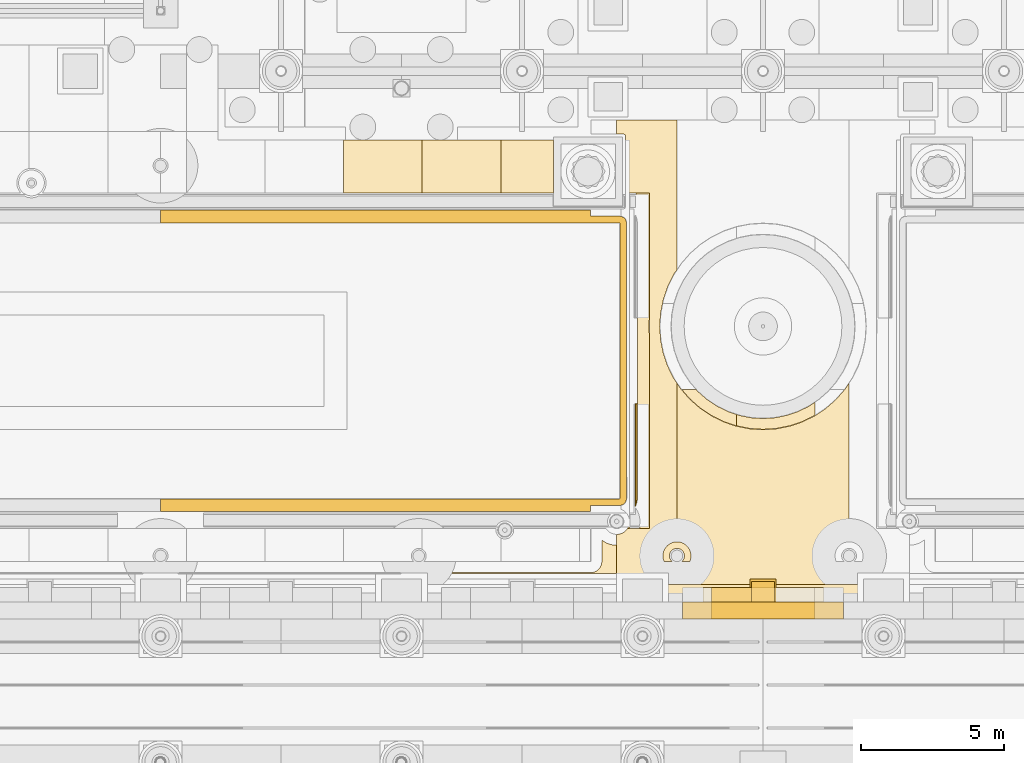
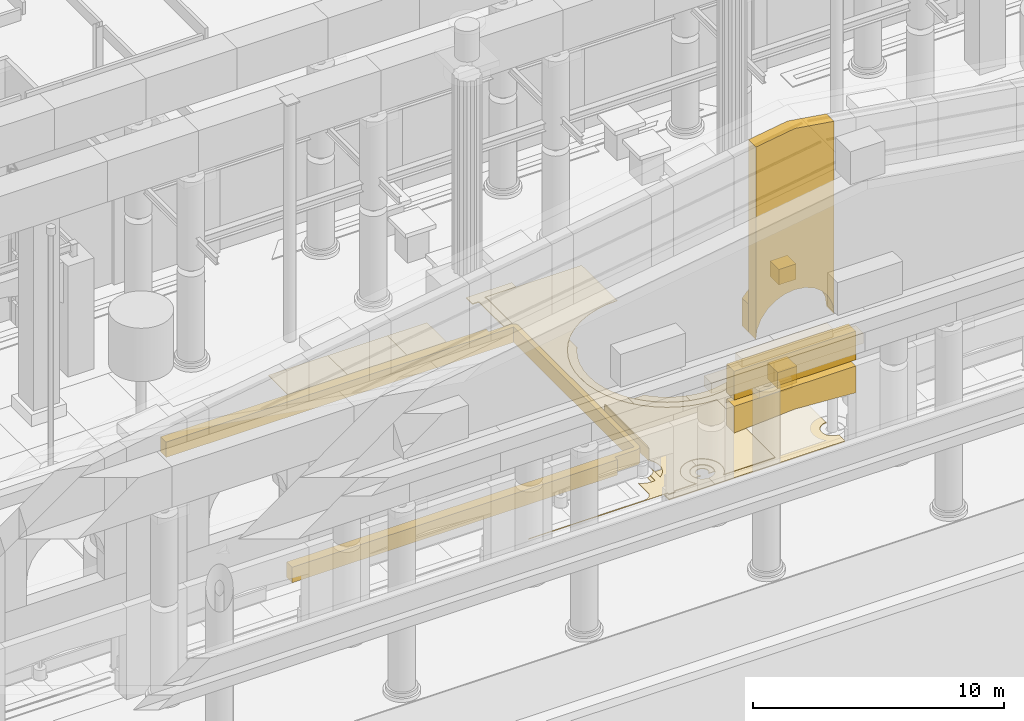
# One storey, part 122 of 222: 19 coverings.
"""IFC4 building model written with IfcOpenShell, lengths in metres."""

from ifc_helpers import new_model, si_unit, direction, frame, origin, origin_2d, place, context, subcontext, project, spatial, polyline, rectangle, outline, extrude, material, layer, layer_set, type_object, element, save


model = new_model("IFC4")

# Units and contexts
model_context = context("Model", 3, precision=1e-05, world=origin(), true_north=direction((0.0, 1.0)))
body_context = subcontext(model_context, "Body", "Model", "MODEL_VIEW")
ifc_project = project(units=[si_unit("LENGTHUNIT", "METRE"), si_unit("AREAUNIT", "SQUARE_METRE"), si_unit("VOLUMEUNIT", "CUBIC_METRE"), si_unit("PLANEANGLEUNIT", "RADIAN"), si_unit("MASSUNIT", "GRAM", prefix="KILO")], contexts=[model_context])

# Site, building, storey
site_placement = place(None, origin())
site = spatial("IfcSite", under=ifc_project, at=site_placement, CompositionType="ELEMENT")
building_placement = place(site_placement, origin())
building = spatial("IfcBuilding", under=site, at=building_placement, Name="Sava Quay Ferry Terminal", CompositionType="ELEMENT")
storey_placement = place(building_placement, origin())
storey = spatial("IfcBuildingStorey", under=building, at=storey_placement, Name="L00", CompositionType="ELEMENT", Elevation=0.0)

# Coverings
ifc_material_1 = material(Name="Limestone Mutalj", Category="masonry")
ifc_layer_1 = layer(ifc_material_1, 0.60009765625)
ifc_layer_set_1 = layer_set([ifc_layer_1], Name="Limestone Mutalj")
covering_type_1 = type_object("IfcCoveringType", Name="Arcade spandrel 600", PredefinedType="CLADDING", material=ifc_layer_set_1)
covering_1_placement = place(storey_placement, frame((60.199951171875, 0.39990234375, 3.199951171875), z_axis=(0.0, 1.0, 0.0), x_axis=(0.0, 0.0, 1.0)))
element("IfcCovering", 1, at=covering_1_placement, inside=storey, type_object=covering_type_1, Name="Arcade spandrel", PredefinedType="CLADDING", context=body_context, shape_type="SweptSolid", body=[
    extrude(outline(polyline([(0.0, 0.0), (1.300048828125, 0.0), (1.300048828125, 5.60009765625), (0.0, 5.60009765625), (0.334228515625, 0.500244140625), (0.60009765625, 1.0400390625), (0.79345703125, 1.609619140625), (0.91064453125, 2.19970703125), (0.949951171875, 2.800048828125), (0.91064453125, 3.400390625), (0.79345703125, 3.990478515625), (0.60009765625, 4.56005859375), (0.334228515625, 5.099853515625), (0.0, 0.0)])), origin(), (0.0, 0.0, -1.0), 0.60009765625),
])
ifc_material_2 = material(Name="Limestone Mutalj", Category="masonry")
ifc_layer_2 = layer(ifc_material_2, 0.800048828125)
ifc_layer_set_2 = layer_set([ifc_layer_2], Name="Limestone Mutalj")
covering_type_2 = type_object("IfcCoveringType", Name="Arch keystone 900", PredefinedType="CLADDING", material=ifc_layer_set_2)
covering_2_placement = place(storey_placement, frame((63.0, 0.800048828125, 4.14990234375), z_axis=(0.0, 0.0, 1.0), x_axis=(1.0, 0.0, 0.0)))
element("IfcCovering", 2, at=covering_2_placement, inside=storey, type_object=covering_type_2, Name="Arch keystone", PredefinedType="CLADDING", context=body_context, shape_type="SweptSolid", body=[
    extrude(rectangle(XDim=0.89990234375, YDim=0.800048828125, at=origin_2d()), origin(), (0.0, 0.0, 1.0), 0.800048828125),
])
ifc_material_3 = material(Name="Limestone Mutalj", Category="masonry")
ifc_layer_3 = layer(ifc_material_3, 0.60009765625)
ifc_layer_set_3 = layer_set([ifc_layer_3], Name="Limestone Mutalj")
covering_type_3 = type_object("IfcCoveringType", Name="Attic arch head panel 600", PredefinedType="CLADDING", material=ifc_layer_set_3)
covering_3_placement = place(storey_placement, frame((61.199951171875, -0.199951171875, 7.39990234375), z_axis=(0.0, -1.0, 0.0), x_axis=(0.130360467782, 0.0, 0.991466665319)))
element("IfcCovering", 3, at=covering_3_placement, inside=storey, type_object=covering_type_3, Name="Attic arch head panel", PredefinedType="CLADDING", context=body_context, shape_type="SweptSolid", body=[
    extrude(outline(polyline([(0.0, 0.0), (0.47007576696975106, -6.938893903907228e-18), (0.9239096038088954, -0.12180908706656961), (1.330831494966846, -0.35690149367102364), (1.662879321966777, -0.689254396544689), (1.8978626823320743, -1.0961762877026398), (2.019343616297553, -1.5500332017691405), (2.0193117900114737, -2.019866911447554), (1.8975027029449039, -2.473700748286698), (1.6626523536317879, -2.880590813158569), (1.330331277044202, -3.212880697449838), (0.9234093858862513, -3.447864057815135), (0.46931041452841277, -3.5693768180666936), (9.760437485237214, -2.34775665319089), (9.802453761972073, -0.5266907991686667), (9.2911270707088, 1.2216201648758034), (0.0, 0.0)])), origin(), (0.0, 0.0, -1.0), 0.60009765625),
])
ifc_material_4 = material(Name="Limestone Mutalj", Category="masonry")
ifc_layer_4 = layer(ifc_material_4, 0.60009765625)
ifc_layer_set_4 = layer_set([ifc_layer_4], Name="Limestone Mutalj")
covering_type_4 = type_object("IfcCoveringType", Name="Attic window sill panel 600", PredefinedType="CLADDING", material=ifc_layer_set_4)
covering_4_placement = place(storey_placement, frame((60.199951171875, -0.199951171875, 4.800048828125), z_axis=(0.0, -1.0, 0.0), x_axis=(1.0, 0.0, 0.0)))
element("IfcCovering", 4, at=covering_4_placement, inside=storey, type_object=covering_type_4, Name="Attic window sill panel", PredefinedType="CLADDING", context=body_context, shape_type="SweptSolid", body=[
    extrude(outline(polyline([(0.0, 0.0), (5.60009765625, 0.0), (5.60009765625, 1.39990234375), (0.0, 1.39990234375), (0.0, 0.0)])), origin(), (0.0, 0.0, -1.0), 0.60009765625),
])
ifc_material_5 = material(Name="Basalt setts", Category="masonry")
ifc_layer_5 = layer(ifc_material_5, 0.02001953125)
ifc_layer_set_5 = layer_set([ifc_layer_5], Name="Basalt setts")
covering_type_5 = type_object("IfcCoveringType", Name="Basalt inlay line 20", PredefinedType="FLOORING", material=ifc_layer_set_5)
covering_5_placement = place(storey_placement, frame((0.0, 0.0, 0.050048828125)))
element("IfcCovering", 5, at=covering_5_placement, inside=storey, type_object=covering_type_5, Name="Basalt inlay line", PredefinedType="FLOORING", context=body_context, shape_type="SweptSolid", body=[
    extrude(outline(polyline([(58.466064453125, 2.593994140625), (58.426025390625, 2.55908203125), (58.39111328125, 2.531982421875), (58.35009765625, 2.5029296875), (58.35009765625, 3.197021484375), (58.345947265625, 3.14501953125), (58.3349609375, 3.0869140625), (58.31396484375, 3.02490234375), (58.2880859375, 2.971923828125), (58.259033203125, 2.928955078125), (58.216064453125, 2.8798828125), (58.176025390625, 2.844970703125), (58.1279296875, 2.81201171875), (58.069091796875, 2.782958984375), (58.050048828125, 2.77587890625), (58.050048828125, 2.384033203125), (57.986083984375, 2.375), (57.924072265625, 2.37109375), (57.8720703125, 2.37109375), (57.81689453125, 2.375), (57.77392578125, 2.381103515625), (57.716064453125, 2.39208984375), (57.6650390625, 2.405029296875), (57.60302734375, 2.426025390625), (57.55810546875, 2.445068359375), (57.510986328125, 2.468017578125), (57.469970703125, 2.490966796875), (57.4208984375, 2.52294921875), (57.3798828125, 2.553955078125), (57.3798828125, 1.800048828125), (57.3779296875, 1.762939453125), (57.373046875, 1.72607421875), (57.364013671875, 1.68994140625), (57.35107421875, 1.655029296875), (57.3349609375, 1.62109375), (57.31591796875, 1.589111328125), (57.2939453125, 1.55908203125), (57.26904296875, 1.531005859375), (57.240966796875, 1.506103515625), (57.2109375, 1.48388671875), (57.178955078125, 1.465087890625), (57.14501953125, 1.448974609375), (57.110107421875, 1.43603515625), (57.073974609375, 1.427001953125), (57.037109375, 1.422119140625), (57.0, 1.419921875), (51.660888671875, 1.419921875), (51.623046875, 1.3798828125), (58.050048828125, 1.3798828125), (58.050048828125, 1.300048828125), (58.35009765625, 1.300048828125), (58.35009765625, 1.3798828125), (59.3759765625, 1.3798828125), (59.35107421875, 1.406005859375), (59.319091796875, 1.443115234375), (59.2919921875, 1.47802734375), (59.263916015625, 1.51904296875), (59.22412109375, 1.5859375), (59.20703125, 1.62109375), (59.174072265625, 1.697998046875), (59.157958984375, 1.7451171875), (59.14599609375, 1.7890625), (59.135986328125, 1.8369140625), (59.125, 1.916015625), (59.1220703125, 1.947998046875), (59.1201171875, 1.9970703125), (59.12109375, 2.04296875), (59.125, 2.092041015625), (59.136962890625, 2.1708984375), (59.14599609375, 2.2109375), (59.158935546875, 2.258056640625), (59.1708984375, 2.294921875), (59.18896484375, 2.341064453125), (59.205078125, 2.3759765625), (59.241943359375, 2.446044921875), (59.26806640625, 2.488037109375), (59.297119140625, 2.528076171875), (59.327880859375, 2.56591796875), (59.375, 2.618896484375), (59.406005859375, 2.64892578125), (59.443115234375, 2.680908203125), (59.47802734375, 2.7080078125), (59.51904296875, 2.736083984375), (59.5859375, 2.77587890625), (59.62109375, 2.79296875), (59.697998046875, 2.825927734375), (59.7451171875, 2.842041015625), (59.7890625, 2.85400390625), (59.867919921875, 2.868896484375), (59.916015625, 2.875), (59.97900390625, 2.87890625), (60.02490234375, 2.87890625), (60.0859375, 2.875), (60.1220703125, 2.87109375), (60.1708984375, 2.863037109375), (60.2109375, 2.85400390625), (60.258056640625, 2.841064453125), (60.294921875, 2.8291015625), (60.341064453125, 2.81103515625), (60.3759765625, 2.794921875), (60.446044921875, 2.758056640625), (60.488037109375, 2.73193359375), (60.528076171875, 2.702880859375), (60.5830078125, 2.657958984375), (60.618896484375, 2.625), (60.64892578125, 2.593994140625), (60.680908203125, 2.556884765625), (60.7080078125, 2.52197265625), (60.751953125, 2.4560546875), (60.77587890625, 2.4140625), (60.79296875, 2.37890625), (60.81298828125, 2.333984375), (60.842041015625, 2.2548828125), (60.85400390625, 2.2109375), (60.864013671875, 2.1630859375), (60.875, 2.083984375), (60.8798828125, 2.0029296875), (60.87890625, 1.95703125), (60.87109375, 1.8779296875), (60.863037109375, 1.8291015625), (60.85400390625, 1.7890625), (60.841064453125, 1.741943359375), (60.8291015625, 1.705078125), (60.81103515625, 1.658935546875), (60.794921875, 1.6240234375), (60.77294921875, 1.5810546875), (60.73193359375, 1.511962890625), (60.702880859375, 1.471923828125), (60.657958984375, 1.4169921875), (60.6240234375, 1.3798828125), (63.0, 1.3798828125), (63.0, 6.02099609375), (62.97509765625, 6.02099609375), (62.5048828125, 6.052001953125), (62.4560546875, 6.05810546875), (61.993896484375, 6.14990234375), (61.946044921875, 6.1630859375), (61.5, 6.31396484375), (61.4541015625, 6.3330078125), (61.031982421875, 6.541015625), (60.989013671875, 6.56591796875), (60.596923828125, 6.827880859375), (60.55810546875, 6.85791015625), (60.2041015625, 7.16796875), (60.16796875, 7.2041015625), (59.85791015625, 7.55810546875), (59.827880859375, 7.596923828125), (59.56591796875, 7.988037109375), (59.541015625, 8.031982421875), (59.3330078125, 8.4541015625), (59.31396484375, 8.5), (59.1630859375, 8.946044921875), (59.14990234375, 8.993896484375), (59.05810546875, 9.4560546875), (59.052001953125, 9.5048828125), (59.02099609375, 9.97509765625), (59.02099609375, 10.02490234375), (59.052001953125, 10.4951171875), (59.05810546875, 10.5439453125), (59.14990234375, 11.006103515625), (59.1630859375, 11.053955078125), (59.31396484375, 11.5), (59.3330078125, 11.5458984375), (59.541015625, 11.968017578125), (59.56591796875, 12.011962890625), (59.827880859375, 12.403076171875), (59.85791015625, 12.44189453125), (60.16796875, 12.7958984375), (60.2041015625, 12.83203125), (60.55810546875, 13.14208984375), (60.596923828125, 13.172119140625), (60.989013671875, 13.43408203125), (61.031982421875, 13.458984375), (61.4541015625, 13.6669921875), (61.5, 13.68603515625), (61.946044921875, 13.8369140625), (61.993896484375, 13.85009765625), (62.4560546875, 13.94189453125), (62.5048828125, 13.947998046875), (62.97509765625, 13.97900390625), (63.0, 13.97900390625), (63.0, 16.820068359375), (58.5439453125, 16.820068359375), (58.56103515625, 16.77294921875), (58.572998046875, 16.72509765625), (58.577880859375, 16.68994140625), (58.580078125, 16.655029296875), (58.580078125, 14.14990234375), (58.577880859375, 14.111083984375), (58.568115234375, 14.052978515625), (58.55908203125, 14.01806640625), (58.5458984375, 13.98388671875), (58.527099609375, 13.945068359375), (58.54296875, 13.91796875), (58.5791015625, 13.847900390625), (58.597900390625, 13.798095703125), (58.611083984375, 13.7509765625), (58.62109375, 13.702880859375), (58.626953125, 13.6640625), (58.62890625, 13.625), (58.6298828125, 4.0), (58.62890625, 3.9599609375), (58.6240234375, 3.9130859375), (58.60791015625, 3.8349609375), (58.597900390625, 3.802001953125), (58.5791015625, 3.751953125), (58.555908203125, 3.70703125), (58.573974609375, 3.68310546875), (58.60302734375, 3.639892578125), (58.62890625, 3.595947265625), (58.657958984375, 3.537109375), (58.678955078125, 3.485107421875), (58.697021484375, 3.428955078125), (58.7060546875, 3.39306640625), (58.717041015625, 3.342041015625), (58.721923828125, 3.31396484375), (58.72509765625, 3.284912109375), (58.72900390625, 3.219970703125), (58.72900390625, 3.16796875), (58.72509765625, 3.115966796875), (58.718994140625, 3.073974609375), (58.7080078125, 3.01611328125), (58.695068359375, 2.965087890625), (58.674072265625, 2.903076171875), (58.655029296875, 2.85791015625), (58.62890625, 2.804931640625), (58.60302734375, 2.760009765625), (58.573974609375, 2.717041015625), (58.544921875, 2.677978515625), (58.501953125, 2.62890625), (58.466064453125, 2.593994140625)])), origin(), (0.0, 0.0, 1.0), 0.02001953125),
])
ifc_material_6 = material(Name="Foliage clipped hedge")
ifc_layer_6 = layer(ifc_material_6, 0.449951171875)
ifc_layer_set_6 = layer_set([ifc_layer_6], Name="Foliage clipped hedge")
covering_type_6 = type_object("IfcCoveringType", Name="Clipped hedge 450", PredefinedType="CLADDING", material=ifc_layer_set_6)
covering_6_placement = place(storey_placement, origin())
element("IfcCovering", 6, at=covering_6_placement, inside=storey, type_object=covering_type_6, Name="Clipped hedge", PredefinedType="CLADDING", context=body_context, shape_type="SweptSolid", body=[
    extrude(outline(polyline([(56.989990234375, 13.85009765625), (56.989990234375, 14.050048828125), (42.0, 14.050048828125), (42.0, 13.610107421875), (58.0, 13.610107421875), (58.006103515625, 13.60791015625), (58.009033203125, 13.60498046875), (58.010009765625, 13.60009765625), (58.010009765625, 4.0), (58.009033203125, 3.9951171875), (58.006103515625, 3.991943359375), (58.0, 3.989990234375), (42.0, 3.989990234375), (42.0, 3.550048828125), (56.989990234375, 3.550048828125), (56.989990234375, 3.75), (56.991943359375, 3.756103515625), (56.998046875, 3.760009765625), (58.0, 3.760009765625), (58.02392578125, 3.760986328125), (58.070068359375, 3.77099609375), (58.092041015625, 3.778076171875), (58.134033203125, 3.800048828125), (58.169921875, 3.830078125), (58.18505859375, 3.846923828125), (58.199951171875, 3.865966796875), (58.221923828125, 3.907958984375), (58.22900390625, 3.929931640625), (58.235107421875, 3.952880859375), (58.239013671875, 3.97607421875), (58.239990234375, 4.0), (58.239013671875, 13.6240234375), (58.22900390625, 13.669921875), (58.221923828125, 13.69189453125), (58.199951171875, 13.73388671875), (58.169921875, 13.77001953125), (58.133056640625, 13.800048828125), (58.113037109375, 13.81103515625), (58.092041015625, 13.822021484375), (58.070068359375, 13.8291015625), (58.047119140625, 13.8349609375), (58.02392578125, 13.839111328125), (58.0, 13.840087890625), (57.0, 13.840087890625), (56.992919921875, 13.843017578125), (56.989990234375, 13.85009765625)])), origin(), (0.0, 0.0, 1.0), 0.75),
])
ifc_material_7 = material(Name="Limestone Mutalj", Category="masonry")
ifc_layer_7 = layer(ifc_material_7, 0.030029296875)
ifc_layer_set_7 = layer_set([ifc_layer_7], Name="Limestone Mutalj")
covering_type_7 = type_object("IfcCoveringType", Name="Court paving tile 30", PredefinedType="FLOORING", material=ifc_layer_set_7)
covering_7_placement = place(storey_placement, origin())
element("IfcCovering", 7, at=covering_7_placement, inside=storey, type_object=covering_type_7, Name="Limestone paving tile", PredefinedType="FLOORING", context=body_context, shape_type="SweptSolid", body=[
    extrude(outline(polyline([(62.080078125, 6.531005859375), (62.080078125, 6.929931640625), (61.77099609375, 7.034912109375), (61.39404296875, 7.220947265625), (61.044921875, 7.452880859375), (60.72998046875, 7.72900390625), (60.6689453125, 7.800048828125), (60.1640625, 7.800048828125), (60.4609375, 7.4609375), (60.81396484375, 7.152099609375), (61.205078125, 6.89111328125), (61.6259765625, 6.68310546875), (62.071044921875, 6.532958984375), (62.080078125, 6.531005859375)])), origin(), (0.0, 0.0, 1.0), 0.030029296875),
])
covering_8_placement = place(storey_placement, origin())
element("IfcCovering", 8, at=covering_8_placement, inside=storey, type_object=covering_type_7, Name="Limestone paving tile", PredefinedType="FLOORING", context=body_context, shape_type="SweptSolid", body=[
    extrude(outline(polyline([(51.1201171875, 16.5), (51.1201171875, 14.64990234375), (53.860107421875, 14.64990234375), (53.860107421875, 16.5), (51.1201171875, 16.5)])), origin(), (0.0, 0.0, 1.0), 0.030029296875),
])
ifc_material_8 = material(Name="Red sandstone Vrsac", Category="masonry")
ifc_layer_8 = layer(ifc_material_8, 0.030029296875)
ifc_layer_set_8 = layer_set([ifc_layer_8], Name="Red sandstone Vrsac")
covering_type_8 = type_object("IfcCoveringType", Name="Court paving tile sandstone 30", PredefinedType="FLOORING", material=ifc_layer_set_8)
covering_9_placement = place(storey_placement, origin())
element("IfcCovering", 9, at=covering_9_placement, inside=storey, type_object=covering_type_8, Name="Sandstone paving tile", PredefinedType="FLOORING", context=body_context, shape_type="SweptSolid", body=[
    extrude(outline(polyline([(59.553955078125, 1.800048828125), (59.833984375, 1.800048828125), (59.81591796875, 1.81689453125), (59.799072265625, 1.8349609375), (59.783935546875, 1.85498046875), (59.77099609375, 1.876953125), (59.760009765625, 1.90087890625), (59.7509765625, 1.925048828125), (59.7451171875, 1.948974609375), (59.740966796875, 1.97509765625), (59.739990234375, 2.0), (59.740966796875, 2.02490234375), (59.7451171875, 2.051025390625), (59.7509765625, 2.074951171875), (59.760009765625, 2.09912109375), (59.77099609375, 2.123046875), (59.783935546875, 2.14501953125), (59.799072265625, 2.1650390625), (59.81689453125, 2.18408203125), (59.8349609375, 2.200927734375), (59.85498046875, 2.216064453125), (59.8779296875, 2.22998046875), (59.89990234375, 2.239990234375), (59.924072265625, 2.2490234375), (59.948974609375, 2.2548828125), (59.97412109375, 2.259033203125), (60.0, 2.260009765625), (60.02490234375, 2.259033203125), (60.050048828125, 2.2548828125), (60.075927734375, 2.2490234375), (60.10009765625, 2.239990234375), (60.1220703125, 2.22998046875), (60.14501953125, 2.216064453125), (60.1650390625, 2.200927734375), (60.18310546875, 2.18408203125), (60.200927734375, 2.1650390625), (60.216064453125, 2.14501953125), (60.22900390625, 2.123046875), (60.239990234375, 2.09912109375), (60.2490234375, 2.074951171875), (60.2548828125, 2.051025390625), (60.259033203125, 2.02490234375), (60.260009765625, 2.0), (60.259033203125, 1.97509765625), (60.2548828125, 1.948974609375), (60.2490234375, 1.925048828125), (60.239990234375, 1.90087890625), (60.22900390625, 1.876953125), (60.216064453125, 1.85498046875), (60.200927734375, 1.8349609375), (60.18408203125, 1.81689453125), (60.166015625, 1.800048828125), (60.447021484375, 1.800048828125), (60.465087890625, 1.845947265625), (60.47802734375, 1.89208984375), (60.486083984375, 1.93994140625), (60.489990234375, 1.988037109375), (60.488037109375, 2.035888671875), (60.48193359375, 2.0830078125), (60.471923828125, 2.1298828125), (60.45703125, 2.176025390625), (60.43701171875, 2.219970703125), (60.4140625, 2.261962890625), (60.385986328125, 2.302001953125), (60.35498046875, 2.337890625), (60.319091796875, 2.3701171875), (60.281982421875, 2.40087890625), (60.240966796875, 2.426025390625), (60.198974609375, 2.447998046875), (60.154052734375, 2.465087890625), (60.10791015625, 2.47802734375), (60.06005859375, 2.486083984375), (60.0, 2.489990234375), (59.964111328125, 2.488037109375), (59.9169921875, 2.48193359375), (59.8701171875, 2.471923828125), (59.823974609375, 2.45703125), (59.780029296875, 2.43701171875), (59.738037109375, 2.4140625), (59.697998046875, 2.385986328125), (59.662109375, 2.35498046875), (59.6298828125, 2.319091796875), (59.59912109375, 2.281982421875), (59.573974609375, 2.240966796875), (59.552001953125, 2.198974609375), (59.534912109375, 2.154052734375), (59.52197265625, 2.10791015625), (59.513916015625, 2.06005859375), (59.510009765625, 2.011962890625), (59.511962890625, 1.964111328125), (59.51806640625, 1.9169921875), (59.528076171875, 1.8701171875), (59.54296875, 1.823974609375), (59.553955078125, 1.800048828125)])), origin(), (0.0, 0.0, 1.0), 0.030029296875),
])
covering_10_placement = place(storey_placement, origin())
element("IfcCovering", 10, at=covering_10_placement, inside=storey, type_object=covering_type_8, Name="Sandstone paving tile", PredefinedType="FLOORING", context=body_context, shape_type="SweptSolid", body=[
    extrude(outline(polyline([(64.820068359375, 6.906982421875), (64.820068359375, 7.364013671875), (64.60400390625, 7.219970703125), (64.22802734375, 7.034912109375), (63.8310546875, 6.89990234375), (63.419921875, 6.81689453125), (63.0009765625, 6.7900390625), (62.5810546875, 6.81689453125), (62.169921875, 6.89892578125), (62.080078125, 6.929931640625), (62.080078125, 6.531005859375), (62.531005859375, 6.44091796875), (63.0, 6.409912109375), (63.468994140625, 6.44091796875), (63.928955078125, 6.532958984375), (64.3740234375, 6.68310546875), (64.794921875, 6.89111328125), (64.820068359375, 6.906982421875)])), origin(), (0.0, 0.0, 1.0), 0.030029296875),
])
covering_11_placement = place(storey_placement, origin())
element("IfcCovering", 11, at=covering_11_placement, inside=storey, type_object=covering_type_8, Name="Sandstone paving tile", PredefinedType="FLOORING", context=body_context, shape_type="SweptSolid", body=[
    extrude(outline(polyline([(48.3798828125, 16.5), (48.3798828125, 14.64990234375), (51.1201171875, 14.64990234375), (51.1201171875, 16.5), (48.3798828125, 16.5)])), origin(), (0.0, 0.0, 1.0), 0.030029296875),
])
covering_12_placement = place(storey_placement, origin())
element("IfcCovering", 12, at=covering_12_placement, inside=storey, type_object=covering_type_8, Name="Sandstone paving tile", PredefinedType="FLOORING", context=body_context, shape_type="SweptSolid", body=[
    extrude(outline(polyline([(53.860107421875, 16.5), (53.860107421875, 14.64990234375), (55.69091796875, 14.64990234375), (55.68994140625, 16.5), (53.860107421875, 16.5)])), origin(), (0.0, 0.0, 1.0), 0.030029296875),
])
ifc_material_9 = material(Name="Limestone Mutalj", Category="masonry")
ifc_layer_9 = layer(ifc_material_9, 0.60009765625)
ifc_layer_set_9 = layer_set([ifc_layer_9], Name="Limestone Mutalj")
covering_type_9 = type_object("IfcCoveringType", Name="Face string course 600", PredefinedType="MOLDING", material=ifc_layer_set_9)
covering_13_placement = place(storey_placement, frame((63.0, 0.699951171875, 5.0), z_axis=(0.0, 0.0, 1.0), x_axis=(1.0, 0.0, 0.0)))
element("IfcCovering", 13, at=covering_13_placement, inside=storey, type_object=covering_type_9, Name="Face string course", PredefinedType="MOLDING", context=body_context, shape_type="SweptSolid", body=[
    extrude(rectangle(XDim=7.0, YDim=0.60009765625, at=origin_2d()), origin(), (0.0, 0.0, 1.0), 0.5),
])
ifc_material_10 = material(Name="Limestone Mutalj", Category="masonry")
ifc_layer_10 = layer(ifc_material_10, 0.39990234375)
ifc_layer_set_10 = layer_set([ifc_layer_10], Name="Limestone Mutalj")
covering_type_10 = type_object("IfcCoveringType", Name="Retaining wall 400", PredefinedType="CLADDING", material=ifc_layer_set_10)
covering_14_placement = place(storey_placement, origin())
element("IfcCovering", 14, at=covering_14_placement, inside=storey, type_object=covering_type_10, Name="Retaining wall", PredefinedType="CLADDING", context=body_context, shape_type="SweptSolid", body=[
    extrude(outline(polyline([(58.550048828125, 7.300048828125), (58.550048828125, 3.739013671875), (58.56103515625, 3.760009765625), (58.5791015625, 3.80810546875), (58.589111328125, 3.840087890625), (58.60400390625, 3.916015625), (58.60888671875, 3.9609375), (58.610107421875, 4.0), (58.610107421875, 7.300048828125), (58.550048828125, 7.300048828125)])), origin(), (0.0, 0.0, 1.0), 0.60009765625),
])
ifc_material_11 = material(Name="Limestone Mutalj", Category="masonry")
ifc_layer_11 = layer(ifc_material_11, 0.050048828125)
ifc_layer_set_11 = layer_set([ifc_layer_11], Name="Limestone Mutalj")
covering_type_11 = type_object("IfcCoveringType", Name="Stone paving band 50", PredefinedType="FLOORING", material=ifc_layer_set_11)
covering_15_placement = place(storey_placement, origin())
element("IfcCovering", 15, at=covering_15_placement, inside=storey, type_object=covering_type_11, Name="Stone paving band", PredefinedType="FLOORING", context=body_context, shape_type="SweptSolid", body=[
    extrude(outline(polyline([(60.0, 1.5), (60.0, 1.0), (66.0, 1.0), (66.0, 1.5), (65.93896484375, 1.50390625), (65.889892578125, 1.511962890625), (65.843017578125, 1.52490234375), (65.797119140625, 1.54296875), (65.75390625, 1.56494140625), (65.7119140625, 1.591064453125), (65.674072265625, 1.6220703125), (65.637939453125, 1.655029296875), (65.60595703125, 1.69189453125), (65.577880859375, 1.73291015625), (65.553955078125, 1.77490234375), (65.533935546875, 1.820068359375), (65.51806640625, 1.866943359375), (65.508056640625, 1.9150390625), (65.501953125, 1.962890625), (65.5, 2.011962890625), (65.50390625, 2.06103515625), (65.511962890625, 2.110107421875), (65.52490234375, 2.156982421875), (65.54296875, 2.202880859375), (65.56494140625, 2.24609375), (65.591064453125, 2.2880859375), (65.6220703125, 2.325927734375), (65.655029296875, 2.362060546875), (65.69189453125, 2.39404296875), (65.73291015625, 2.422119140625), (65.77490234375, 2.446044921875), (65.820068359375, 2.466064453125), (65.866943359375, 2.48193359375), (65.9150390625, 2.491943359375), (65.962890625, 2.498046875), (66.0, 2.5), (66.0, 8.02392578125), (65.85595703125, 7.80810546875), (65.5458984375, 7.4541015625), (65.19189453125, 7.14404296875), (64.800048828125, 6.882080078125), (64.3779296875, 6.674072265625), (63.931884765625, 6.52294921875), (63.469970703125, 6.430908203125), (63.0, 6.39990234375), (62.530029296875, 6.430908203125), (62.068115234375, 6.52294921875), (61.6220703125, 6.674072265625), (61.199951171875, 6.882080078125), (60.80810546875, 7.14404296875), (60.4541015625, 7.4541015625), (60.14404296875, 7.80810546875), (60.0, 8.02392578125), (60.0, 2.5), (60.06103515625, 2.49609375), (60.110107421875, 2.488037109375), (60.156982421875, 2.47509765625), (60.202880859375, 2.45703125), (60.24609375, 2.43505859375), (60.2880859375, 2.408935546875), (60.325927734375, 2.3779296875), (60.362060546875, 2.344970703125), (60.39404296875, 2.30810546875), (60.422119140625, 2.26708984375), (60.446044921875, 2.22509765625), (60.466064453125, 2.179931640625), (60.48193359375, 2.133056640625), (60.491943359375, 2.0849609375), (60.498046875, 2.037109375), (60.5, 1.988037109375), (60.49609375, 1.93896484375), (60.488037109375, 1.889892578125), (60.47509765625, 1.843017578125), (60.45703125, 1.797119140625), (60.43505859375, 1.75390625), (60.408935546875, 1.7119140625), (60.3779296875, 1.674072265625), (60.344970703125, 1.637939453125), (60.30810546875, 1.60595703125), (60.26708984375, 1.577880859375), (60.22509765625, 1.553955078125), (60.179931640625, 1.533935546875), (60.133056640625, 1.51806640625), (60.0849609375, 1.508056640625), (60.037109375, 1.501953125), (60.0, 1.5)])), origin(), (0.0, 0.0, 1.0), 0.050048828125),
])
covering_16_placement = place(storey_placement, origin())
element("IfcCovering", 16, at=covering_16_placement, inside=storey, type_object=covering_type_11, Name="Stone paving band", PredefinedType="FLOORING", context=body_context, shape_type="SweptSolid", body=[
    extrude(outline(polyline([(58.196044921875, 16.6689453125), (58.199951171875, 16.655029296875), (58.199951171875, 14.64990234375), (59.050048828125, 14.64990234375), (59.050048828125, 2.949951171875), (58.27294921875, 2.949951171875), (58.259033203125, 2.928955078125), (58.216064453125, 2.8798828125), (58.176025390625, 2.844970703125), (58.1279296875, 2.81201171875), (58.069091796875, 2.782958984375), (58.02001953125, 2.76611328125), (57.9619140625, 2.75390625), (57.89990234375, 2.75), (57.89990234375, 1.0), (60.0, 1.0), (60.0, 1.5), (59.93896484375, 1.50390625), (59.889892578125, 1.511962890625), (59.843017578125, 1.52490234375), (59.797119140625, 1.54296875), (59.75390625, 1.56494140625), (59.7119140625, 1.591064453125), (59.674072265625, 1.6220703125), (59.637939453125, 1.655029296875), (59.60595703125, 1.69189453125), (59.577880859375, 1.73291015625), (59.553955078125, 1.77490234375), (59.533935546875, 1.820068359375), (59.51806640625, 1.866943359375), (59.508056640625, 1.9150390625), (59.501953125, 1.962890625), (59.5, 2.011962890625), (59.50390625, 2.06103515625), (59.511962890625, 2.110107421875), (59.52490234375, 2.156982421875), (59.54296875, 2.202880859375), (59.56494140625, 2.24609375), (59.591064453125, 2.2880859375), (59.6220703125, 2.325927734375), (59.655029296875, 2.362060546875), (59.69189453125, 2.39404296875), (59.73291015625, 2.422119140625), (59.77490234375, 2.446044921875), (59.820068359375, 2.466064453125), (59.866943359375, 2.48193359375), (59.9150390625, 2.491943359375), (59.962890625, 2.498046875), (60.0, 2.5), (60.0, 8.02392578125), (59.882080078125, 8.199951171875), (59.674072265625, 8.6220703125), (59.52294921875, 9.068115234375), (59.430908203125, 9.530029296875), (59.39990234375, 10.0), (59.430908203125, 10.469970703125), (59.52294921875, 10.931884765625), (59.674072265625, 11.3779296875), (59.882080078125, 11.800048828125), (60.0, 11.97607421875), (60.0, 17.199951171875), (57.89990234375, 17.199951171875), (57.89990234375, 16.699951171875), (58.14990234375, 16.699951171875), (58.1689453125, 16.696044921875), (58.18505859375, 16.68505859375), (58.196044921875, 16.6689453125)])), origin(), (0.0, 0.0, 1.0), 0.050048828125),
])
ifc_material_12 = material(Name="Limestone Mutalj", Category="masonry")
ifc_layer_12 = layer(ifc_material_12, 0.5)
ifc_layer_set_12 = layer_set([ifc_layer_12], Name="Limestone Mutalj")
covering_type_12 = type_object("IfcCoveringType", Name="Window archivolt 450", PredefinedType="MOLDING", material=ifc_layer_set_12)
covering_17_placement = place(storey_placement, frame((61.199951171875, 0.39990234375, 7.39990234375), z_axis=(0.0, -1.0, 0.0), x_axis=(0.166773131648, 0.0, 0.985995295405)))
element("IfcCovering", 17, at=covering_17_placement, inside=storey, type_object=covering_type_12, Name="Window archivolt", PredefinedType="MOLDING", context=body_context, shape_type="SweptSolid", body=[
    extrude(outline(polyline([(0.0, 0.0), (0.600202534188676, 0.0), (0.8465037360100364, -0.05961194048531798), (1.0312209479651981, -0.12988792320633322), (1.1824778703546248, -0.205823443353896), (1.3110662549267451, -0.28534555507361514), (1.423085571566425, -0.3679177989659783), (1.5215837676801505, -0.4525294227599309), (1.6092902120454475, -0.5392139924082746), (1.6871270745963916, -0.627567922016967), (1.7567386897900579, -0.7170654774021836), (1.8186879328349692, -0.8081066693860715), (1.873615536060939, -0.9000879066635139), (1.9218436531688226, -0.993449916153252), (1.964053732585027, -1.0878298280578367), (2.4168508885069504, -1.0112428503647721), (2.3799366822594235, -0.9159671843351223), (2.338448767366221, -0.8214651241407559), (2.2919464169086012, -0.728058823482528), (2.2403481986933778, -0.635266839345104), (2.183494823406071, -0.5436113308404124), (2.120823415838158, -0.4526922871463064), (2.0521339705785664, -0.362791145867047), (1.9767450392008878, -0.2742707768000832), (1.894093746496601, -0.18673116912326815), (1.803539360135892, -0.10077591414171799), (1.7037968403872368, -0.01612714932306758), (1.5932218527935595, 0.06668939114885883), (1.4699293413901169, 0.14710725699364308), (1.3311899373993823, 0.22516001416408696), (0.0, 0.0)])), origin(), (0.0, 0.0, -1.0), 0.5),
])
ifc_material_13 = material(Name="Limestone Mutalj", Category="masonry")
ifc_layer_13 = layer(ifc_material_13, 0.699951171875)
ifc_layer_set_13 = layer_set([ifc_layer_13], Name="Limestone Mutalj")
covering_type_13 = type_object("IfcCoveringType", Name="Window keystone 800", PredefinedType="CLADDING", material=ifc_layer_set_13)
covering_18_placement = place(storey_placement, frame((63.0, 0.75, 9.199951171875), z_axis=(0.0, 0.0, 1.0), x_axis=(1.0, 0.0, 0.0)))
element("IfcCovering", 18, at=covering_18_placement, inside=storey, type_object=covering_type_13, Name="Window keystone", PredefinedType="CLADDING", context=body_context, shape_type="SweptSolid", body=[
    extrude(rectangle(XDim=0.800048828125, YDim=0.699951171875, at=origin_2d()), origin(), (0.0, 0.0, 1.0), 0.75),
])
ifc_material_14 = material(Name="Limestone Mutalj", Category="masonry")
ifc_layer_14 = layer(ifc_material_14, 0.5)
ifc_layer_set_14 = layer_set([ifc_layer_14], Name="Limestone Mutalj")
covering_type_14 = type_object("IfcCoveringType", Name="Window sill band 400", PredefinedType="MOLDING", material=ifc_layer_set_14)
covering_19_placement = place(storey_placement, frame((63.0, 0.64990234375, 5.800048828125), z_axis=(0.0, 0.0, 1.0), x_axis=(1.0, 0.0, 0.0)))
element("IfcCovering", 19, at=covering_19_placement, inside=storey, type_object=covering_type_14, Name="Window sill band", PredefinedType="MOLDING", context=body_context, shape_type="SweptSolid", body=[
    extrude(rectangle(XDim=4.199951171875, YDim=0.5, at=origin_2d()), origin(), (0.0, 0.0, 1.0), 0.39990234375),
])

save(model, "model.ifc")
